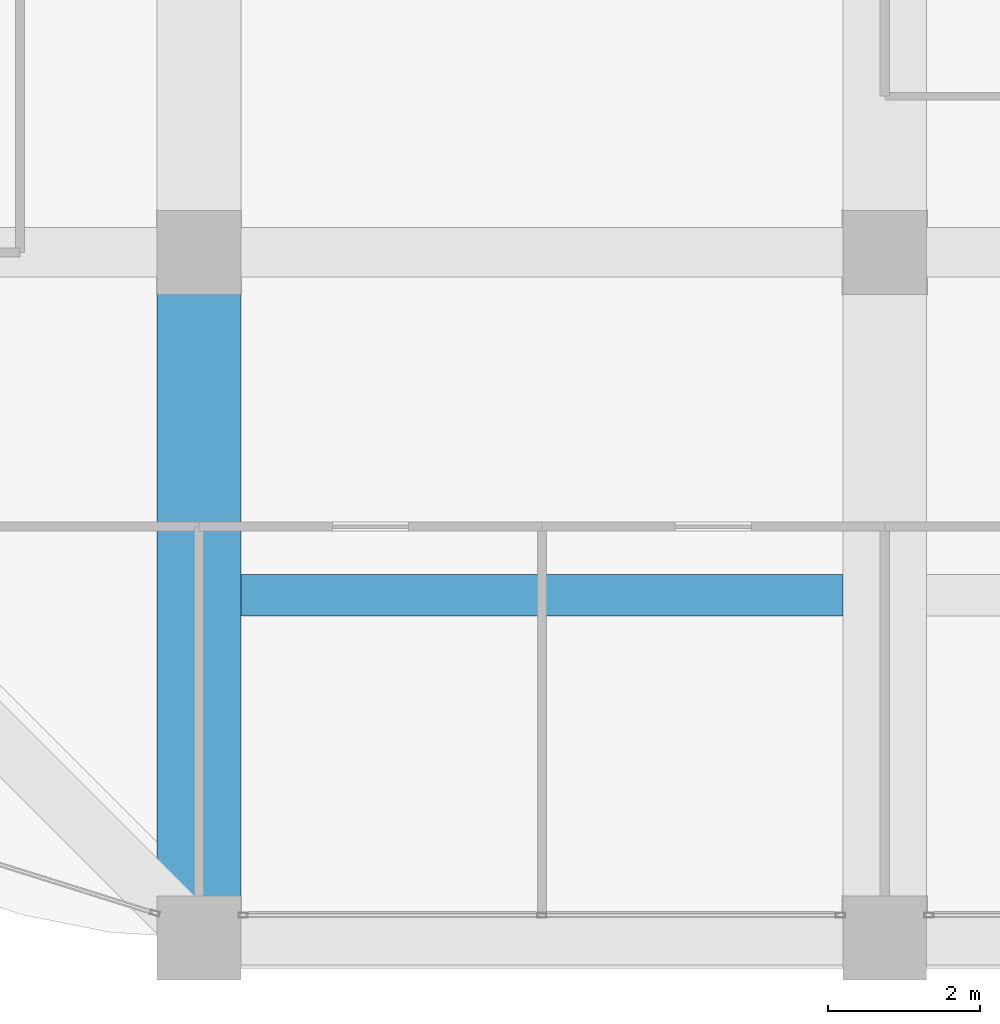
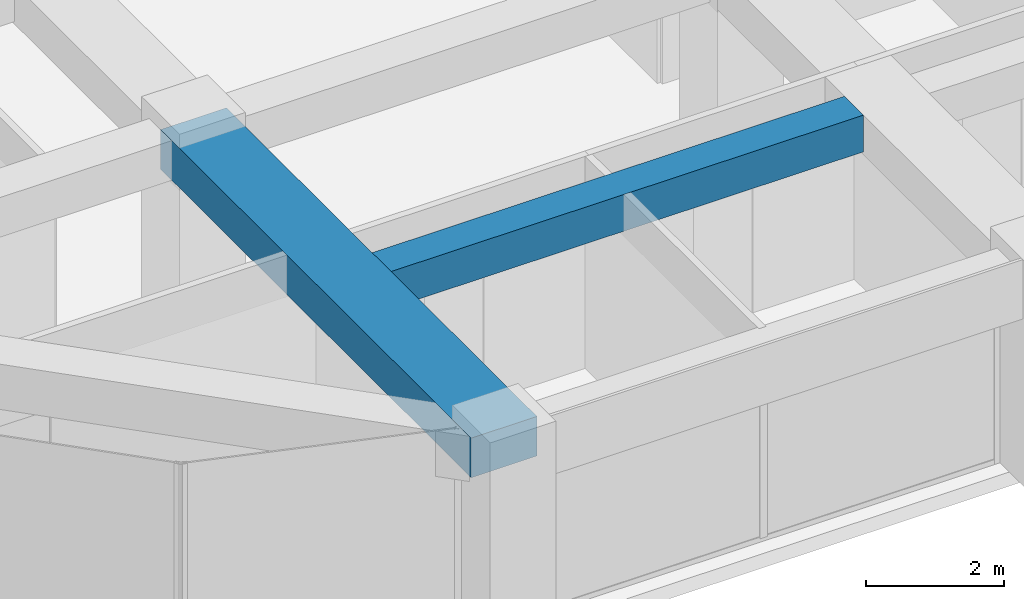
# One storey, part 5 of 44: 2 beams.
"""IFC4 building model written with IfcOpenShell, lengths in metres."""

from ifc_helpers import new_model, si_unit, direction, frame, origin, origin_2d, place, context, subcontext, project, spatial, rectangle, extrude, material, material_profile, profile_set, type_object, element, save


model = new_model("IFC4")

# Units and contexts
model_context = context("Model", 3, precision=1e-05, world=origin(), true_north=direction((0.0, 1.0)))
body_context = subcontext(model_context, "Body", "Model", "MODEL_VIEW")
ifc_project = project(units=[si_unit("LENGTHUNIT", "METRE"), si_unit("AREAUNIT", "SQUARE_METRE"), si_unit("VOLUMEUNIT", "CUBIC_METRE"), si_unit("PLANEANGLEUNIT", "RADIAN"), si_unit("MASSUNIT", "GRAM", prefix="KILO")], contexts=[model_context])

# Site, building, storey
site_placement = place(None, origin())
site = spatial("IfcSite", under=ifc_project, at=site_placement, CompositionType="ELEMENT")
building_placement = place(site_placement, origin())
building = spatial("IfcBuilding", under=site, at=building_placement, Name="Zorevar Civic Tower", CompositionType="ELEMENT")
storey_placement = place(building_placement, frame((0.0, 0.0, 295.39990234375)))
storey = spatial("IfcBuildingStorey", under=building, at=storey_placement, Name="L72", CompositionType="ELEMENT", Elevation=295.39990234375)

# Beams
ifc_material_1 = material(Name="Concrete C50/60", Category="concrete")
ifc_material_profile_1 = material_profile(ifc_material_1, rectangle(XDim=1.10009765625, YDim=0.699951171875, at=origin_2d()), Name="RC 1100x700")
ifc_profile_set_1 = profile_set([ifc_material_profile_1], Name="Concrete C50/60")
beam_type_1 = type_object("IfcBeamType", Name="Beam RC 1100x700", PredefinedType="BEAM", material=ifc_profile_set_1)
beam_1_placement = place(storey_placement, frame((18.0, 0.0, 3.400146484375), z_axis=(0.0, 1.0, 0.0), x_axis=(-1.0, 0.0, 0.0)))
element("IfcBeam", 1, at=beam_1_placement, inside=storey, type_object=beam_type_1, Name="Girder L73", PredefinedType="BEAM", context=body_context, shape_type="SweptSolid", body=[
    extrude(rectangle(XDim=1.10009765625, YDim=0.699951171875, at=origin_2d()), origin(), (0.0, 0.0, 1.0), 9.0),
])
ifc_material_2 = material(Name="Concrete C50/60", Category="concrete")
ifc_material_profile_2 = material_profile(ifc_material_2, rectangle(XDim=0.550048828125, YDim=0.64990234375, at=origin_2d()), Name="RC 550x650")
ifc_profile_set_2 = profile_set([ifc_material_profile_2], Name="Concrete C50/60")
beam_type_2 = type_object("IfcBeamType", Name="Beam RC 550x650", PredefinedType="BEAM", material=ifc_profile_set_2)
beam_2_placement = place(storey_placement, frame((18.550048828125, 4.5, 3.425048828125), z_axis=(1.0, 0.0, 0.0), x_axis=(0.0, 1.0, 0.0)))
element("IfcBeam", 2, at=beam_2_placement, inside=storey, type_object=beam_type_2, Name="Secondary beam L73", PredefinedType="BEAM", context=body_context, shape_type="SweptSolid", body=[
    extrude(rectangle(XDim=0.550048828125, YDim=0.64990234375, at=origin_2d()), origin(), (0.0, 0.0, 1.0), 7.89990234375),
])

save(model, "model.ifc")
